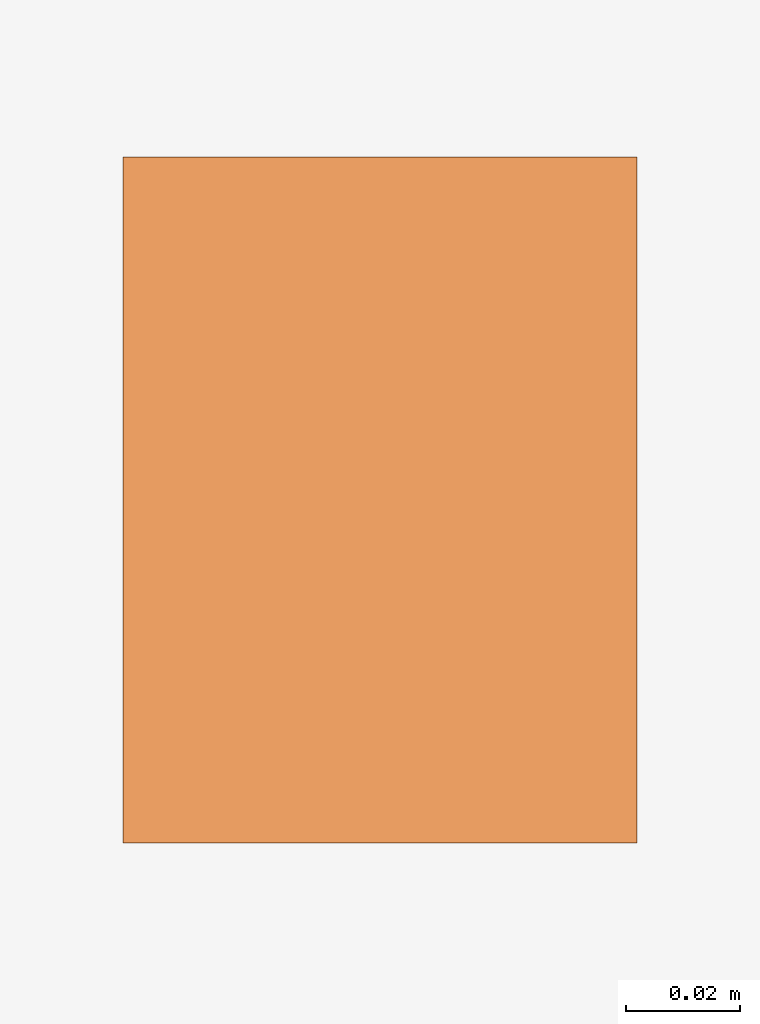
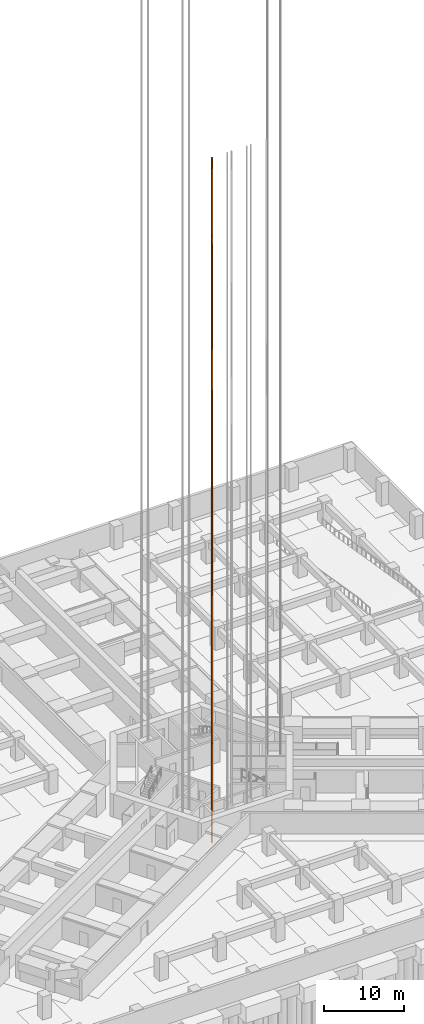
# One storey, part 64 of 73: 1 proxy.
"""IFC4 building model written with IfcOpenShell, lengths in metres."""

from ifc_helpers import new_model, si_unit, direction, frame, origin, origin_2d, place, context, subcontext, project, spatial, rectangle, extrude, material, type_object, element, save


model = new_model("IFC4")

# Units and contexts
model_context = context("Model", 3, precision=1e-05, world=origin(), true_north=direction((0.0, 1.0)))
body_context = subcontext(model_context, "Body", "Model", "MODEL_VIEW")
ifc_project = project(units=[si_unit("LENGTHUNIT", "METRE"), si_unit("AREAUNIT", "SQUARE_METRE"), si_unit("VOLUMEUNIT", "CUBIC_METRE"), si_unit("PLANEANGLEUNIT", "RADIAN"), si_unit("MASSUNIT", "GRAM", prefix="KILO")], contexts=[model_context])

# Site, building, storey
site_placement = place(None, origin())
site = spatial("IfcSite", under=ifc_project, at=site_placement, CompositionType="ELEMENT")
building_placement = place(site_placement, origin())
building = spatial("IfcBuilding", under=site, at=building_placement, Name="Impinga Residences", CompositionType="ELEMENT")
storey_placement = place(building_placement, frame((0.0, 0.0, -10.5)))
storey = spatial("IfcBuildingStorey", under=building, at=storey_placement, Name="B3", CompositionType="ELEMENT", Elevation=-10.5)

# Proxy
ifc_material = material(Name="Steel lift guide rail, galvanised", Category="steel")
building_element_proxy_type = type_object("IfcBuildingElementProxyType", Name="LGR lift guide rail", PredefinedType="USERDEFINED", material=ifc_material)
proxy_placement = place(storey_placement, frame((-3.905029296875, -9.381591796875, -1.60009765625), z_axis=(0.0, 0.0, 1.0), x_axis=(1.0, 0.0, 0.0)))
element("IfcBuildingElementProxy", 1, at=proxy_placement, inside=storey, type_object=building_element_proxy_type, Name="Guide rail P3 1", ObjectType="Lift guide rail", PredefinedType="USERDEFINED", context=body_context, shape_type="SweptSolid", body=[
    extrude(rectangle(XDim=0.090087890625, YDim=0.1201171875, at=origin_2d()), origin(), (0.0, 0.0, 1.0), 104.25),
])

save(model, "model.ifc")
